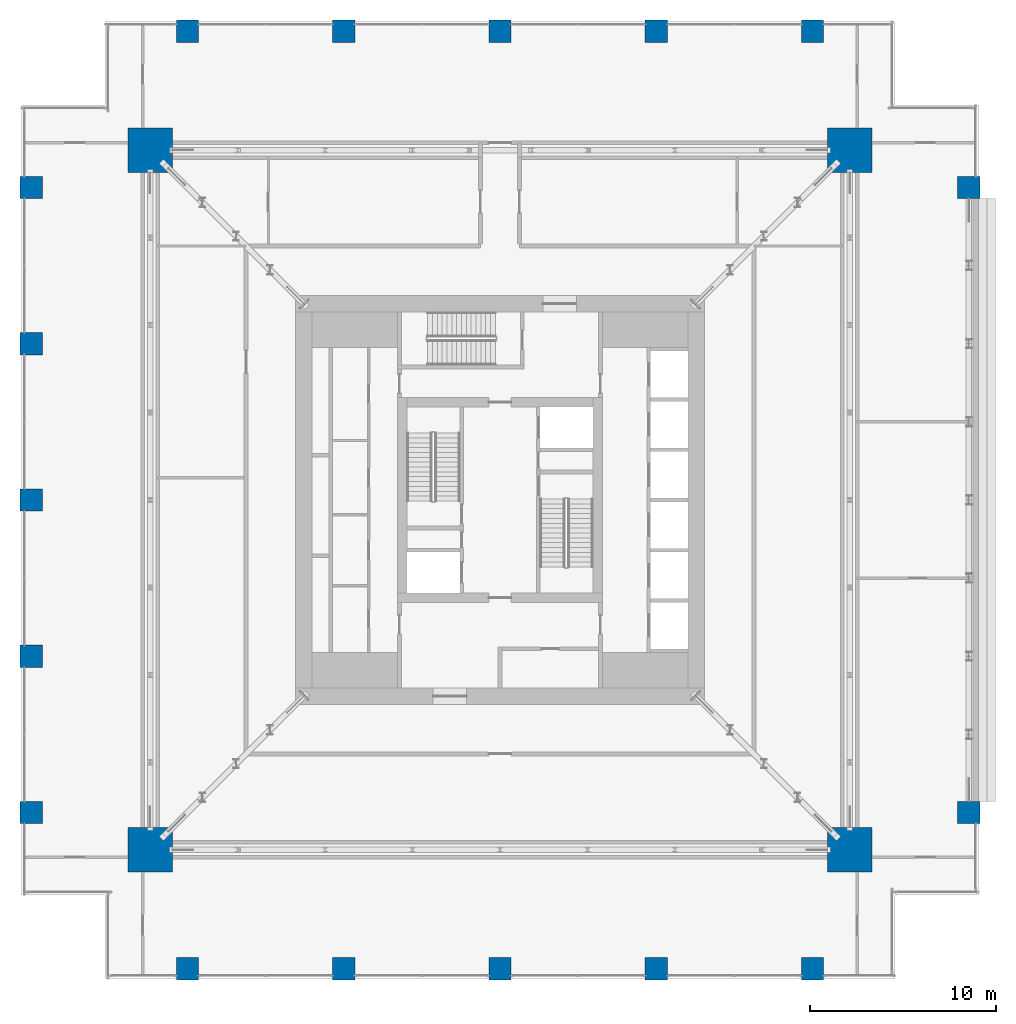
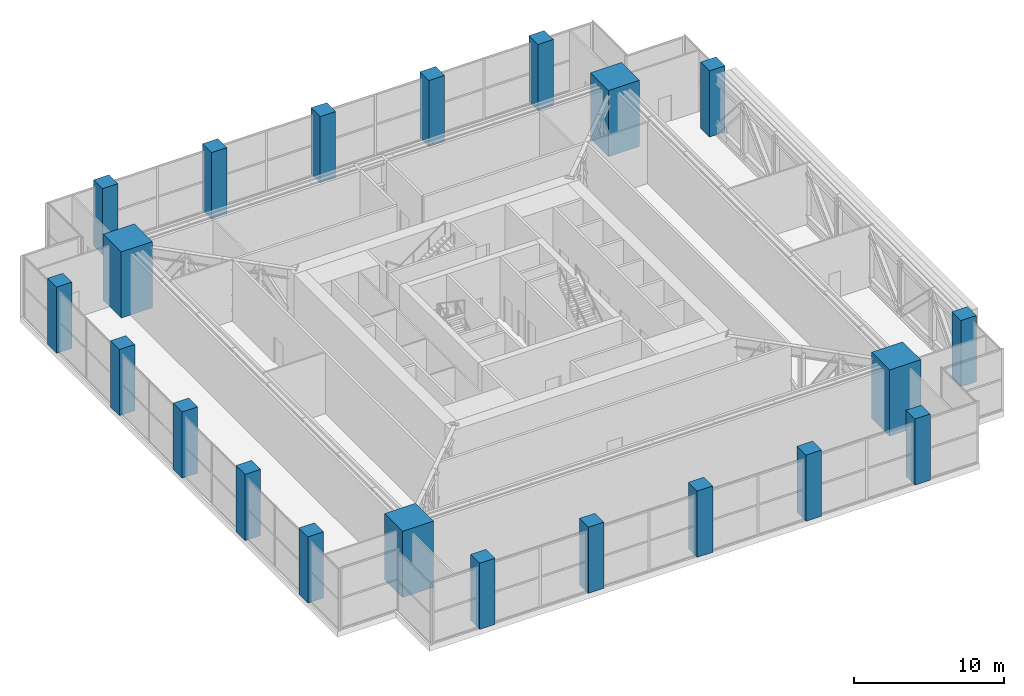
# One storey, part 1 of 21: 21 columns.
"""IFC4 building model written with IfcOpenShell, lengths in metres."""

from ifc_helpers import new_model, si_unit, direction, frame, origin, origin_2d, place, context, subcontext, project, spatial, rectangle, extrude, material, material_profile, profile_set, type_object, element, save


model = new_model("IFC4")

# Units and contexts
model_context = context("Model", 3, precision=1e-05, world=origin(), true_north=direction((0.0, 1.0)))
body_context = subcontext(model_context, "Body", "Model", "MODEL_VIEW")
ifc_project = project(units=[si_unit("LENGTHUNIT", "METRE"), si_unit("AREAUNIT", "SQUARE_METRE"), si_unit("VOLUMEUNIT", "CUBIC_METRE"), si_unit("PLANEANGLEUNIT", "RADIAN"), si_unit("MASSUNIT", "GRAM", prefix="KILO")], contexts=[model_context])

# Site, building, storey
site_placement = place(None, origin())
site = spatial("IfcSite", under=ifc_project, at=site_placement, CompositionType="ELEMENT")
building_placement = place(site_placement, origin())
building = spatial("IfcBuilding", under=site, at=building_placement, Name="Khepri Terraces", CompositionType="ELEMENT")
storey_placement = place(building_placement, frame((0.0, 0.0, 235.199951171875)))
storey = spatial("IfcBuildingStorey", under=building, at=storey_placement, Name="L56", CompositionType="ELEMENT", Elevation=235.199951171875)

# Columns
ifc_material = material(Name="Concrete C50/60", Category="concrete")
ifc_material_profile_1 = material_profile(ifc_material, rectangle(XDim=2.39990234375, YDim=2.39990234375, at=origin_2d()), Name="Concrete C50/60", Category="concrete")
ifc_profile_set_1 = profile_set([ifc_material_profile_1], Name="Concrete C50/60")
column_type_1 = type_object("IfcColumnType", Name="Mega column RC 2400x2400 C50/60", PredefinedType="COLUMN", material=ifc_profile_set_1)
for number, where, z_axis, x_axis, name in (
    (1, (18.800048828125, 18.800048828125, 0.0), (0.0, 0.0, 1.0), (1.0, 0.0, 0.0), "Mega column MEN L56"),
    (2, (18.800048828125, -18.800048828125, 0.0), (0.0, 0.0, 1.0), (1.0, 0.0, 0.0), "Mega column MES L56"),
    (3, (-18.800048828125, 18.800048828125, 0.0), (0.0, 0.0, 1.0), (1.0, 0.0, 0.0), "Mega column MWN L56"),
    (4, (-18.800048828125, -18.800048828125, 0.0), (0.0, 0.0, 1.0), (1.0, 0.0, 0.0), "Mega column MWS L56"),
):
    element("IfcColumn", number, at=place(storey_placement, frame(where, z_axis=z_axis, x_axis=x_axis)), inside=storey, type_object=column_type_1, Name=name, PredefinedType="COLUMN", context=body_context, shape_type="SweptSolid", body=[
        extrude(rectangle(XDim=2.39990234375, YDim=2.39990234375, at=origin_2d()), origin(), (0.0, 0.0, 1.0), 5.400146484375),
    ])
ifc_material_profile_2 = material_profile(ifc_material, rectangle(XDim=1.199951171875, YDim=1.199951171875, at=origin_2d()), Name="Concrete C50/60", Category="concrete")
ifc_profile_set_2 = profile_set([ifc_material_profile_2], Name="Concrete C50/60")
column_type_2 = type_object("IfcColumnType", Name="Tower column RC 1200x1200 C50/60", PredefinedType="COLUMN", material=ifc_profile_set_2)
for number, where, z_axis, x_axis, name in (
    (5, (25.199951171875, 16.800048828125, 0.0), (0.0, 0.0, 1.0), (1.0, 0.0, 0.0), "Perimeter column PE+168a L56"),
    (6, (25.199951171875, -16.800048828125, 0.0), (0.0, 0.0, 1.0), (1.0, 0.0, 0.0), "Perimeter column PE-168a L56"),
    (7, (0.0, 25.199951171875, 0.0), (0.0, 0.0, 1.0), (1.0, 0.0, 0.0), "Perimeter column PN+000b L56"),
    (8, (-8.39990234375, 25.199951171875, 0.0), (0.0, 0.0, 1.0), (1.0, 0.0, 0.0), "Perimeter column PN+084b L56"),
    (9, (-16.800048828125, 25.199951171875, 0.0), (0.0, 0.0, 1.0), (1.0, 0.0, 0.0), "Perimeter column PN+168a L56"),
    (10, (8.39990234375, 25.199951171875, 0.0), (0.0, 0.0, 1.0), (1.0, 0.0, 0.0), "Perimeter column PN-084b L56"),
    (11, (16.800048828125, 25.199951171875, 0.0), (0.0, 0.0, 1.0), (1.0, 0.0, 0.0), "Perimeter column PN-168a L56"),
    (12, (0.0, -25.199951171875, 0.0), (0.0, 0.0, 1.0), (1.0, 0.0, 0.0), "Perimeter column PS+000b L56"),
    (13, (8.39990234375, -25.199951171875, 0.0), (0.0, 0.0, 1.0), (1.0, 0.0, 0.0), "Perimeter column PS+084b L56"),
    (14, (16.800048828125, -25.199951171875, 0.0), (0.0, 0.0, 1.0), (1.0, 0.0, 0.0), "Perimeter column PS+168a L56"),
    (15, (-8.39990234375, -25.199951171875, 0.0), (0.0, 0.0, 1.0), (1.0, 0.0, 0.0), "Perimeter column PS-084b L56"),
    (16, (-16.800048828125, -25.199951171875, 0.0), (0.0, 0.0, 1.0), (1.0, 0.0, 0.0), "Perimeter column PS-168a L56"),
    (17, (-25.199951171875, 0.0, 0.0), (0.0, 0.0, 1.0), (1.0, 0.0, 0.0), "Perimeter column PW+000b L56"),
    (18, (-25.199951171875, -8.39990234375, 0.0), (0.0, 0.0, 1.0), (1.0, 0.0, 0.0), "Perimeter column PW+084b L56"),
    (19, (-25.199951171875, -16.800048828125, 0.0), (0.0, 0.0, 1.0), (1.0, 0.0, 0.0), "Perimeter column PW+168a L56"),
    (20, (-25.199951171875, 8.39990234375, 0.0), (0.0, 0.0, 1.0), (1.0, 0.0, 0.0), "Perimeter column PW-084b L56"),
    (21, (-25.199951171875, 16.800048828125, 0.0), (0.0, 0.0, 1.0), (1.0, 0.0, 0.0), "Perimeter column PW-168a L56"),
):
    element("IfcColumn", number, at=place(storey_placement, frame(where, z_axis=z_axis, x_axis=x_axis)), inside=storey, type_object=column_type_2, Name=name, PredefinedType="COLUMN", context=body_context, shape_type="SweptSolid", body=[
        extrude(rectangle(XDim=1.199951171875, YDim=1.199951171875, at=origin_2d()), origin(), (0.0, 0.0, 1.0), 5.400146484375),
    ])

save(model, "model.ifc")
